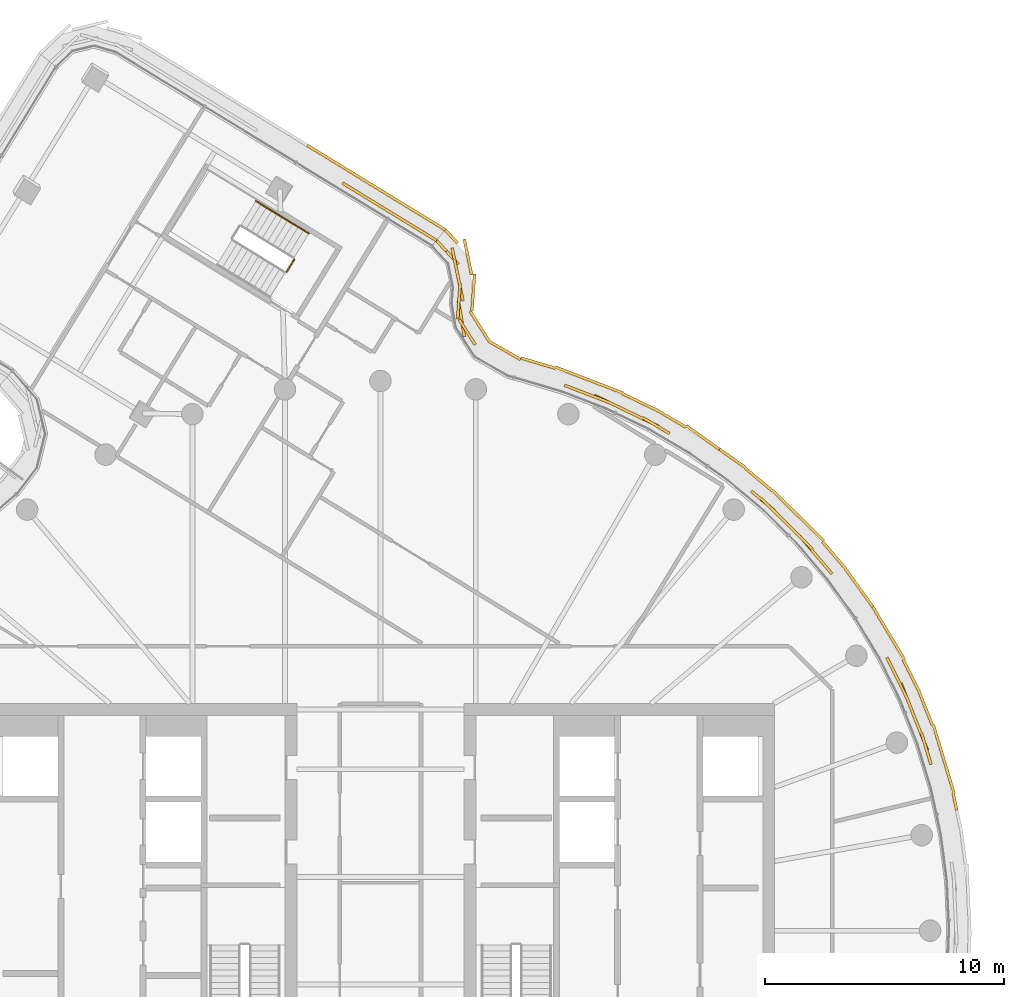
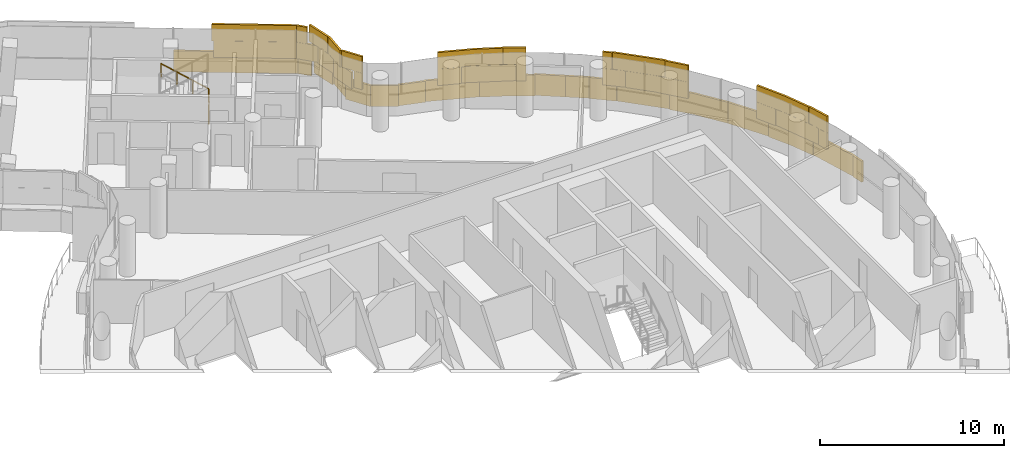
# One storey, part 26 of 27: 5 coverings, 2 railings.
"""IFC4 building model written with IfcOpenShell, lengths in metres."""

from ifc_helpers import new_model, si_unit, direction, frame, origin, origin_2d, place, context, subcontext, project, spatial, rectangle, circle, extrude, material, layer, layer_set, type_object, element, save


model = new_model("IFC4")

# Units and contexts
model_context = context("Model", 3, precision=1e-05, world=origin(), true_north=direction((0.0, 1.0)))
body_context = subcontext(model_context, "Body", "Model", "MODEL_VIEW")
ifc_project = project(units=[si_unit("LENGTHUNIT", "METRE"), si_unit("AREAUNIT", "SQUARE_METRE"), si_unit("VOLUMEUNIT", "CUBIC_METRE"), si_unit("PLANEANGLEUNIT", "RADIAN"), si_unit("MASSUNIT", "GRAM", prefix="KILO")], contexts=[model_context])

# Site, building, storey
site_placement = place(None, origin())
site = spatial("IfcSite", under=ifc_project, at=site_placement, CompositionType="ELEMENT")
building_placement = place(site_placement, origin())
building = spatial("IfcBuilding", under=site, at=building_placement, Name="Tamarind Cross Interchange Tower", CompositionType="ELEMENT")
storey_placement = place(building_placement, frame((0.0, 0.0, 245.10009765625)))
storey = spatial("IfcBuildingStorey", under=building, at=storey_placement, Name="L62", CompositionType="ELEMENT", Elevation=245.10009765625)

# Railings
ifc_material_1 = material(Name="Stair guard")
railing_type_1 = type_object("IfcRailingType", Name="Stair guard", PredefinedType="GUARDRAIL", material=ifc_material_1)
railing_1_placement = place(storey_placement, frame((-3.605712890625, 28.078857421875, 0.0)))
element("IfcRailing", 1, at=railing_1_placement, inside=storey, type_object=railing_type_1, Name="L62 ST4 stair guard 4", PredefinedType="GUARDRAIL", context=body_context, shape_type="SweptSolid", body=[
    extrude(circle(Radius=0.02392578125, at=origin_2d()), frame((0.0, 0.0, 1.076171875), z_axis=(-0.522371246556, -0.852718171949, 0.0), x_axis=(0.852718171949, -0.522371246556, 0.0)), (0.0, 0.0, 1.0), 0.60009765625),
    extrude(circle(Radius=0.02099609375, at=origin_2d()), origin(), (0.0, 0.0, 1.0), 1.052001953125),
    extrude(circle(Radius=0.02099609375, at=origin_2d()), frame((-0.3134765625, -0.51171875, 0.0)), (0.0, 0.0, 1.0), 1.052001953125),
])
ifc_material_2 = material(Name="Stair handrail")
railing_type_2 = type_object("IfcRailingType", Name="Stair handrail", PredefinedType="HANDRAIL", material=ifc_material_2)
railing_2_placement = place(storey_placement, frame((-2.995361328125, 29.1708984375, 0.16357421875)))
element("IfcRailing", 2, at=railing_2_placement, inside=storey, type_object=railing_type_2, Name="L62 ST4 stair handrail 1", PredefinedType="HANDRAIL", context=body_context, shape_type="SweptSolid", body=[
    extrude(circle(Radius=0.02392578125, at=origin_2d()), frame((0.0, 0.0, 0.8759765625), z_axis=(-0.721696093843, 0.44210938994, 0.532629360305), x_axis=(-0.522372679878, -0.852717293901, 0.0)), (0.0, 0.0, 1.0), 3.072021484375),
    extrude(circle(Radius=0.02099609375, at=origin_2d()), origin(), (0.0, 0.0, 1.0), 0.851806640625),
    extrude(circle(Radius=0.02099609375, at=origin_2d()), frame((-0.739013671875, 0.45263671875, 0.54541015625)), (0.0, 0.0, 1.0), 0.851806640625),
    extrude(circle(Radius=0.02099609375, at=origin_2d()), frame((-1.47802734375, 0.905517578125, 1.0908203125)), (0.0, 0.0, 1.0), 0.851806640625),
    extrude(circle(Radius=0.02099609375, at=origin_2d()), frame((-2.217041015625, 1.358154296875, 1.63623046875)), (0.0, 0.0, 1.0), 0.851806640625),
])

# Coverings
ifc_material_3 = material(Name="Terracotta", Category="masonry")
ifc_layer = layer(ifc_material_3, 0.1201171875)
ifc_layer_set = layer_set([ifc_layer], Name="Terracotta")
covering_type = type_object("IfcCoveringType", Name="Terracotta baguette screen unit", PredefinedType="MOLDING", material=ifc_layer_set)
covering_1_placement = place(storey_placement, origin())
element("IfcCovering", 3, at=covering_1_placement, inside=storey, type_object=covering_type, Name="SCR-L62-06-07", PredefinedType="MOLDING", context=body_context, shape_type="SweptSolid", body=[
    extrude(rectangle(XDim=0.62255859375, YDim=0.1201171875, at=origin_2d()), frame((22.94921875, 7.250244140625, 1.40380859375), z_axis=(0.0, 0.0, 1.0), x_axis=(-0.289458243079, 0.957190642199, 0.0)), (0.0, 0.0, 1.0), 1.092041015625),
    extrude(rectangle(XDim=1.52001953125, YDim=0.1201171875, at=origin_2d()), frame((22.615478515625, 8.251708984375, 1.40380859375), z_axis=(0.0, 0.0, 1.0), x_axis=(-0.367513773146, 0.930018078613, 0.0)), (0.0, 0.0, 1.0), 1.092041015625),
    extrude(rectangle(XDim=1.52001953125, YDim=0.1201171875, at=origin_2d()), frame((22.064208984375, 9.646728515625, 1.40380859375), z_axis=(0.0, 0.0, 1.0), x_axis=(-0.367513773146, 0.930018078613, 0.0)), (0.0, 0.0, 1.0), 1.092041015625),
    extrude(rectangle(XDim=1.24072265625, YDim=0.1201171875, at=origin_2d()), frame((21.46923828125, 10.875244140625, 1.40380859375), z_axis=(0.0, 0.0, 1.0), x_axis=(-0.443058811505, 0.896492548518, 0.0)), (0.0, 0.0, 1.0), 1.092041015625),
    extrude(rectangle(XDim=1.37255859375, YDim=0.1201171875, at=origin_2d()), frame((22.840576171875, 7.609375, 2.50390625), z_axis=(0.0, 0.0, 1.0), x_axis=(-0.289458243079, 0.957190642199, 0.0)), (0.0, 0.0, 1.0), 1.092041015625),
    extrude(rectangle(XDim=1.52001953125, YDim=0.1201171875, at=origin_2d()), frame((22.33984375, 8.94921875, 2.50390625), z_axis=(0.0, 0.0, 1.0), x_axis=(-0.367513773146, 0.930018078613, 0.0)), (0.0, 0.0, 1.0), 1.092041015625),
    extrude(rectangle(XDim=1.52001953125, YDim=0.1201171875, at=origin_2d()), frame((21.741943359375, 10.323486328125, 2.50390625), z_axis=(0.0, 0.0, 1.0), x_axis=(-0.443058811505, 0.896492548518, 0.0)), (0.0, 0.0, 1.0), 1.092041015625),
    extrude(rectangle(XDim=0.49072265625, YDim=0.1201171875, at=origin_2d()), frame((21.30322265625, 11.21142578125, 2.50390625), z_axis=(0.0, 0.0, 1.0), x_axis=(-0.443058811505, 0.896492548518, 0.0)), (0.0, 0.0, 1.0), 1.092041015625),
    extrude(rectangle(XDim=0.712158203125, YDim=0.1201171875, at=origin_2d()), frame((24.0439453125, 5.3896484375, 0.00390625), z_axis=(0.0, 0.0, 1.0), x_axis=(-0.209425419705, 0.977824623121, 0.0)), (0.0, 0.0, 1.0), 1.39208984375),
    extrude(rectangle(XDim=1.52001953125, YDim=0.1201171875, at=origin_2d()), frame((23.789306640625, 6.455078125, 0.00390625), z_axis=(0.0, 0.0, 1.0), x_axis=(-0.289458243079, 0.957190642199, 0.0)), (0.0, 0.0, 1.0), 1.39208984375),
    extrude(rectangle(XDim=1.52001953125, YDim=0.1201171875, at=origin_2d()), frame((23.355224609375, 7.890869140625, 0.00390625), z_axis=(0.0, 0.0, 1.0), x_axis=(-0.289458243079, 0.957190642199, 0.0)), (0.0, 0.0, 1.0), 1.39208984375),
    extrude(rectangle(XDim=1.52001953125, YDim=0.1201171875, at=origin_2d()), frame((22.821533203125, 9.2919921875, 0.00390625), z_axis=(0.0, 0.0, 1.0), x_axis=(-0.367513773146, 0.930018078613, 0.0)), (0.0, 0.0, 1.0), 1.39208984375),
    extrude(rectangle(XDim=1.52001953125, YDim=0.1201171875, at=origin_2d()), frame((22.21484375, 10.662353515625, 0.00390625), z_axis=(0.0, 0.0, 1.0), x_axis=(-0.443058811505, 0.896492548518, 0.0)), (0.0, 0.0, 1.0), 1.39208984375),
    extrude(rectangle(XDim=1.52001953125, YDim=0.1201171875, at=origin_2d()), frame((21.535888671875, 11.999267578125, 0.00390625), z_axis=(0.0, 0.0, 1.0), x_axis=(-0.515577308909, 0.856843065292, 0.0)), (0.0, 0.0, 1.0), 1.39208984375),
    extrude(rectangle(XDim=1.066650390625, YDim=0.1201171875, at=origin_2d()), frame((20.87939453125, 13.09033203125, 0.00390625), z_axis=(0.0, 0.0, 1.0), x_axis=(-0.515577308909, 0.856843065292, 0.0)), (0.0, 0.0, 1.0), 1.39208984375),
])
covering_2_placement = place(storey_placement, origin())
element("IfcCovering", 4, at=covering_2_placement, inside=storey, type_object=covering_type, Name="SCR-L62-06-08", PredefinedType="MOLDING", context=body_context, shape_type="SweptSolid", body=[
    extrude(rectangle(XDim=0.579345703125, YDim=0.1201171875, at=origin_2d()), frame((18.709228515625, 15.149658203125, 1.40380859375), z_axis=(0.0, 0.0, 1.0), x_axis=(-0.64957723968, 0.760295606781, 0.0)), (0.0, 0.0, 1.0), 1.092041015625),
    extrude(rectangle(XDim=1.52001953125, YDim=0.1201171875, at=origin_2d()), frame((18.037109375, 15.936279296875, 1.40380859375), z_axis=(0.0, 0.0, 1.0), x_axis=(-0.64957723968, 0.760295606781, 0.0)), (0.0, 0.0, 1.0), 1.092041015625),
    extrude(rectangle(XDim=1.52001953125, YDim=0.1201171875, at=origin_2d()), frame((17.008056640625, 17.02587890625, 1.40380859375), z_axis=(0.0, 0.0, 1.0), x_axis=(-0.710143317658, 0.704057148523, 0.0)), (0.0, 0.0, 1.0), 1.092041015625),
    extrude(rectangle(XDim=1.283447265625, YDim=0.1201171875, at=origin_2d()), frame((16.00634765625, 17.98388671875, 1.40380859375), z_axis=(0.0, 0.0, 1.0), x_axis=(-0.765858396687, 0.643009266048, 0.0)), (0.0, 0.0, 1.0), 1.092041015625),
    extrude(rectangle(XDim=1.329345703125, YDim=0.1201171875, at=origin_2d()), frame((18.465576171875, 15.434814453125, 2.50390625), z_axis=(0.0, 0.0, 1.0), x_axis=(-0.64957723968, 0.760295606781, 0.0)), (0.0, 0.0, 1.0), 1.092041015625),
    extrude(rectangle(XDim=1.52001953125, YDim=0.1201171875, at=origin_2d()), frame((17.54052734375, 16.497802734375, 2.50390625), z_axis=(0.0, 0.0, 1.0), x_axis=(-0.710143317658, 0.704057148523, 0.0)), (0.0, 0.0, 1.0), 1.092041015625),
    extrude(rectangle(XDim=1.52001953125, YDim=0.1201171875, at=origin_2d()), frame((16.475341796875, 17.553955078125, 2.50390625), z_axis=(0.0, 0.0, 1.0), x_axis=(-0.710143317658, 0.704057148523, 0.0)), (0.0, 0.0, 1.0), 1.092041015625),
    extrude(rectangle(XDim=0.533447265625, YDim=0.1201171875, at=origin_2d()), frame((15.71923828125, 18.22509765625, 2.50390625), z_axis=(0.0, 0.0, 1.0), x_axis=(-0.765858396687, 0.643009266048, 0.0)), (0.0, 0.0, 1.0), 1.092041015625),
    extrude(rectangle(XDim=0.453369140625, YDim=0.1201171875, at=origin_2d()), frame((20.474365234375, 13.73291015625, 0.00390625), z_axis=(0.0, 0.0, 1.0), x_axis=(-0.584573890505, 0.811340475102, 0.0)), (0.0, 0.0, 1.0), 1.39208984375),
    extrude(rectangle(XDim=1.52001953125, YDim=0.1201171875, at=origin_2d()), frame((19.9091796875, 14.51708984375, 0.00390625), z_axis=(0.0, 0.0, 1.0), x_axis=(-0.584573890505, 0.811340475102, 0.0)), (0.0, 0.0, 1.0), 1.39208984375),
    extrude(rectangle(XDim=1.52001953125, YDim=0.1201171875, at=origin_2d()), frame((18.991943359375, 15.702392578125, 0.00390625), z_axis=(0.0, 0.0, 1.0), x_axis=(-0.64957723968, 0.760295606781, 0.0)), (0.0, 0.0, 1.0), 1.39208984375),
    extrude(rectangle(XDim=1.52001953125, YDim=0.1201171875, at=origin_2d()), frame((18.0126953125, 16.838134765625, 0.00390625), z_axis=(0.0, 0.0, 1.0), x_axis=(-0.710143317658, 0.704057148523, 0.0)), (0.0, 0.0, 1.0), 1.39208984375),
    extrude(rectangle(XDim=1.52001953125, YDim=0.1201171875, at=origin_2d()), frame((16.947265625, 17.894287109375, 0.00390625), z_axis=(0.0, 0.0, 1.0), x_axis=(-0.710143317658, 0.704057148523, 0.0)), (0.0, 0.0, 1.0), 1.39208984375),
    extrude(rectangle(XDim=1.52001953125, YDim=0.1201171875, at=origin_2d()), frame((15.823974609375, 18.88671875, 0.00390625), z_axis=(0.0, 0.0, 1.0), x_axis=(-0.765858396687, 0.643009266048, 0.0)), (0.0, 0.0, 1.0), 1.39208984375),
    extrude(rectangle(XDim=1.3251953125, YDim=0.1201171875, at=origin_2d()), frame((14.72900390625, 19.76171875, 0.00390625), z_axis=(0.0, 0.0, 1.0), x_axis=(-0.816341886298, 0.577568978284, 0.0)), (0.0, 0.0, 1.0), 1.39208984375),
])
covering_3_placement = place(storey_placement, origin())
element("IfcCovering", 5, at=covering_3_placement, inside=storey, type_object=covering_type, Name="SCR-L62-06-09", PredefinedType="MOLDING", context=body_context, shape_type="SweptSolid", body=[
    extrude(rectangle(XDim=0.53662109375, YDim=0.1201171875, at=origin_2d()), frame((11.86474609375, 20.941650390625, 1.40380859375), z_axis=(0.0, 0.0, 1.0), x_axis=(-0.861248933065, 0.508183308752, 0.0)), (0.0, 0.0, 1.0), 1.092041015625),
    extrude(rectangle(XDim=1.52001953125, YDim=0.1201171875, at=origin_2d()), frame((10.974853515625, 21.424560546875, 1.40380859375), z_axis=(0.0, 0.0, 1.0), x_axis=(-0.900272776334, 0.435326231914, 0.0)), (0.0, 0.0, 1.0), 1.092041015625),
    extrude(rectangle(XDim=1.52001953125, YDim=0.1201171875, at=origin_2d()), frame((9.624267578125, 22.077392578125, 1.40380859375), z_axis=(0.0, 0.0, 1.0), x_axis=(-0.900272776334, 0.435326231914, 0.0)), (0.0, 0.0, 1.0), 1.092041015625),
    extrude(rectangle(XDim=1.31689453125, YDim=0.1201171875, at=origin_2d()), frame((8.31640625, 22.585693359375, 1.40380859375), z_axis=(0.0, 0.0, 1.0), x_axis=(-0.933146843667, 0.359495435512, 0.0)), (0.0, 0.0, 1.0), 1.092041015625),
    extrude(rectangle(XDim=1.28662109375, YDim=0.1201171875, at=origin_2d()), frame((11.541748046875, 21.13232421875, 2.50390625), z_axis=(0.0, 0.0, 1.0), x_axis=(-0.861248933065, 0.508183308752, 0.0)), (0.0, 0.0, 1.0), 1.092041015625),
    extrude(rectangle(XDim=1.52001953125, YDim=0.1201171875, at=origin_2d()), frame((10.299560546875, 21.7509765625, 2.50390625), z_axis=(0.0, 0.0, 1.0), x_axis=(-0.900272776334, 0.435326231914, 0.0)), (0.0, 0.0, 1.0), 1.092041015625),
    extrude(rectangle(XDim=1.52001953125, YDim=0.1201171875, at=origin_2d()), frame((8.926025390625, 22.350830078125, 2.50390625), z_axis=(0.0, 0.0, 1.0), x_axis=(-0.933146843667, 0.359495435512, 0.0)), (0.0, 0.0, 1.0), 1.092041015625),
    extrude(rectangle(XDim=0.56689453125, YDim=0.1201171875, at=origin_2d()), frame((7.96630859375, 22.720458984375, 2.50390625), z_axis=(0.0, 0.0, 1.0), x_axis=(-0.933146843667, 0.359495435512, 0.0)), (0.0, 0.0, 1.0), 1.092041015625),
    extrude(rectangle(XDim=0.19482421875, YDim=0.1201171875, at=origin_2d()), frame((14.108642578125, 20.20068359375, 0.00390625), z_axis=(0.0, 0.0, 1.0), x_axis=(-0.816341886298, 0.577568978284, 0.0)), (0.0, 0.0, 1.0), 1.39208984375),
    extrude(rectangle(XDim=1.52001953125, YDim=0.1201171875, at=origin_2d()), frame((13.425048828125, 20.684326171875, 0.00390625), z_axis=(0.0, 0.0, 1.0), x_axis=(-0.816341886298, 0.577568978284, 0.0)), (0.0, 0.0, 1.0), 1.39208984375),
    extrude(rectangle(XDim=1.52001953125, YDim=0.1201171875, at=origin_2d()), frame((12.134765625, 21.448974609375, 0.00390625), z_axis=(0.0, 0.0, 1.0), x_axis=(-0.861248933065, 0.508183308752, 0.0)), (0.0, 0.0, 1.0), 1.39208984375),
    extrude(rectangle(XDim=1.52001953125, YDim=0.1201171875, at=origin_2d()), frame((10.806396484375, 22.143310546875, 0.00390625), z_axis=(0.0, 0.0, 1.0), x_axis=(-0.900272776334, 0.435326231914, 0.0)), (0.0, 0.0, 1.0), 1.39208984375),
    extrude(rectangle(XDim=1.52001953125, YDim=0.1201171875, at=origin_2d()), frame((9.443115234375, 22.7666015625, 0.00390625), z_axis=(0.0, 0.0, 1.0), x_axis=(-0.933146843667, 0.359495435512, 0.0)), (0.0, 0.0, 1.0), 1.39208984375),
    extrude(rectangle(XDim=1.52001953125, YDim=0.1201171875, at=origin_2d()), frame((8.04345703125, 23.305908203125, 0.00390625), z_axis=(0.0, 0.0, 1.0), x_axis=(-0.933146843667, 0.359495435512, 0.0)), (0.0, 0.0, 1.0), 1.39208984375),
    extrude(rectangle(XDim=1.52001953125, YDim=0.1201171875, at=origin_2d()), frame((6.609619140625, 23.74462890625, 0.00390625), z_axis=(0.0, 0.0, 1.0), x_axis=(-0.95842748246, 0.285336224242, 0.0)), (0.0, 0.0, 1.0), 1.39208984375),
])
covering_4_placement = place(storey_placement, origin())
element("IfcCovering", 6, at=covering_4_placement, inside=storey, type_object=covering_type, Name="SCR-L62-06-10", PredefinedType="MOLDING", context=body_context, shape_type="SweptSolid", body=[
    extrude(rectangle(XDim=0.503173828125, YDim=0.1201171875, at=origin_2d()), frame((3.83203125, 24.72998046875, 1.40380859375), z_axis=(0.0, 0.0, 1.0), x_axis=(-0.537340561565, 0.843365354338, 0.0)), (0.0, 0.0, 1.0), 1.092041015625),
    extrude(rectangle(XDim=1.52001953125, YDim=0.1201171875, at=origin_2d()), frame((3.388671875, 25.60595703125, 1.40380859375), z_axis=(0.0, 0.0, 1.0), x_axis=(-0.167236990494, 0.985916725191, 0.0)), (0.0, 0.0, 1.0), 1.092041015625),
    extrude(rectangle(XDim=1.52001953125, YDim=0.1201171875, at=origin_2d()), frame((3.30224609375, 27.092041015625, 1.40380859375), z_axis=(0.0, 0.0, 1.0), x_axis=(-0.200530881776, 0.979687381492, 0.0)), (0.0, 0.0, 1.0), 1.092041015625),
    extrude(rectangle(XDim=1.3642578125, YDim=0.1201171875, at=origin_2d()), frame((2.805419921875, 28.3818359375, 1.40380859375), z_axis=(0.0, 0.0, 1.0), x_axis=(-0.680233195119, 0.732995770969, 0.0)), (0.0, 0.0, 1.0), 1.092041015625),
    extrude(rectangle(XDim=1.253173828125, YDim=0.1201171875, at=origin_2d()), frame((3.630615234375, 25.046142578125, 2.50390625), z_axis=(0.0, 0.0, 1.0), x_axis=(-0.537340561565, 0.843365354338, 0.0)), (0.0, 0.0, 1.0), 1.092041015625),
    extrude(rectangle(XDim=1.52001953125, YDim=0.1201171875, at=origin_2d()), frame((3.283935546875, 26.346435546875, 2.50390625), z_axis=(0.0, 0.0, 1.0), x_axis=(0.071130575627, 0.997467012593, 0.0)), (0.0, 0.0, 1.0), 1.092041015625),
    extrude(rectangle(XDim=1.52001953125, YDim=0.1201171875, at=origin_2d()), frame((3.15185546875, 27.826904296875, 2.50390625), z_axis=(0.0, 0.0, 1.0), x_axis=(-0.200530881776, 0.979687381492, 0.0)), (0.0, 0.0, 1.0), 1.092041015625),
    extrude(rectangle(XDim=0.6142578125, YDim=0.1201171875, at=origin_2d()), frame((2.55029296875, 28.65673828125, 2.50390625), z_axis=(0.0, 0.0, 1.0), x_axis=(-0.680233195119, 0.732995770969, 0.0)), (0.0, 0.0, 1.0), 1.092041015625),
    extrude(rectangle(XDim=1.507080078125, YDim=0.1201171875, at=origin_2d()), frame((5.210693359375, 24.276123046875, 0.00390625), z_axis=(0.0, 0.0, 1.0), x_axis=(-0.868413823847, 0.495840126, 0.0)), (0.0, 0.0, 1.0), 1.39208984375),
    extrude(rectangle(XDim=1.52001953125, YDim=0.1201171875, at=origin_2d()), frame((4.1630859375, 25.278564453125, 0.00390625), z_axis=(0.0, 0.0, 1.0), x_axis=(-0.537340561565, 0.843365354338, 0.0)), (0.0, 0.0, 1.0), 1.39208984375),
    extrude(rectangle(XDim=1.52001953125, YDim=0.1201171875, at=origin_2d()), frame((3.885498046875, 26.712890625, 0.00390625), z_axis=(0.0, 0.0, 1.0), x_axis=(0.071130575627, 0.997467012593, 0.0)), (0.0, 0.0, 1.0), 1.39208984375),
    extrude(rectangle(XDim=1.52001953125, YDim=0.1201171875, at=origin_2d()), frame((3.6640625, 28.187744140625, 0.00390625), z_axis=(0.0, 0.0, 1.0), x_axis=(-0.200530881776, 0.979687381492, 0.0)), (0.0, 0.0, 1.0), 1.39208984375),
    extrude(rectangle(XDim=0.763916015625, YDim=0.1201171875, at=origin_2d()), frame((2.9716796875, 29.04638671875, 0.00390625), z_axis=(0.0, 0.0, 1.0), x_axis=(-0.680233195119, 0.732995770969, 0.0)), (0.0, 0.0, 1.0), 1.39208984375),
])
covering_5_placement = place(storey_placement, origin())
element("IfcCovering", 7, at=covering_5_placement, inside=storey, type_object=covering_type, Name="SCR-L62-07-00", PredefinedType="MOLDING", context=body_context, shape_type="SweptSolid", body=[
    extrude(rectangle(XDim=1.510009765625, YDim=0.1201171875, at=origin_2d()), frame((1.705322265625, 29.27001953125, 1.40380859375), z_axis=(0.0, 0.0, 1.0), x_axis=(-0.852720404316, 0.522367602426, 0.0)), (0.0, 0.0, 1.0), 1.092041015625),
    extrude(rectangle(XDim=1.52001953125, YDim=0.1201171875, at=origin_2d()), frame((0.42626953125, 30.053466796875, 1.40380859375), z_axis=(0.0, 0.0, 1.0), x_axis=(-0.852720404316, 0.522367602426, 0.0)), (0.0, 0.0, 1.0), 1.092041015625),
    extrude(rectangle(XDim=1.52001953125, YDim=0.1201171875, at=origin_2d()), frame((-0.85302734375, 30.837158203125, 1.40380859375), z_axis=(0.0, 0.0, 1.0), x_axis=(-0.852720404316, 0.522367602426, 0.0)), (0.0, 0.0, 1.0), 1.092041015625),
    extrude(rectangle(XDim=0.760009765625, YDim=0.1201171875, at=origin_2d()), frame((2.02490234375, 29.073974609375, 2.50390625), z_axis=(0.0, 0.0, 1.0), x_axis=(-0.852720404316, 0.522367602426, 0.0)), (0.0, 0.0, 1.0), 1.092041015625),
    extrude(rectangle(XDim=1.52001953125, YDim=0.1201171875, at=origin_2d()), frame((1.065673828125, 29.66162109375, 2.50390625), z_axis=(0.0, 0.0, 1.0), x_axis=(-0.852720404316, 0.522367602426, 0.0)), (0.0, 0.0, 1.0), 1.092041015625),
    extrude(rectangle(XDim=1.52001953125, YDim=0.1201171875, at=origin_2d()), frame((-0.21337890625, 30.4453125, 2.50390625), z_axis=(0.0, 0.0, 1.0), x_axis=(-0.852720404316, 0.522367602426, 0.0)), (0.0, 0.0, 1.0), 1.092041015625),
    extrude(rectangle(XDim=0.864501953125, YDim=0.1201171875, at=origin_2d()), frame((-1.21728515625, 31.060302734375, 2.50390625), z_axis=(0.0, 0.0, 1.0), x_axis=(-0.852720404316, 0.522367602426, 0.0)), (0.0, 0.0, 1.0), 1.092041015625),
    extrude(rectangle(XDim=1.510009765625, YDim=0.1201171875, at=origin_2d()), frame((2.068115234375, 29.720947265625, 0.00390625), z_axis=(0.0, 0.0, 1.0), x_axis=(-0.852720404316, 0.522367602426, 0.0)), (0.0, 0.0, 1.0), 1.39208984375),
    extrude(rectangle(XDim=1.52001953125, YDim=0.1201171875, at=origin_2d()), frame((0.793212890625, 30.501708984375, 0.00390625), z_axis=(0.0, 0.0, 1.0), x_axis=(-0.852720404316, 0.522367602426, 0.0)), (0.0, 0.0, 1.0), 1.39208984375),
    extrude(rectangle(XDim=1.52001953125, YDim=0.1201171875, at=origin_2d()), frame((-0.48583984375, 31.285400390625, 0.00390625), z_axis=(0.0, 0.0, 1.0), x_axis=(-0.852720404316, 0.522367602426, 0.0)), (0.0, 0.0, 1.0), 1.39208984375),
    extrude(rectangle(XDim=1.52001953125, YDim=0.1201171875, at=origin_2d()), frame((-1.764892578125, 32.06884765625, 0.00390625), z_axis=(0.0, 0.0, 1.0), x_axis=(-0.852720404316, 0.522367602426, 0.0)), (0.0, 0.0, 1.0), 1.39208984375),
    extrude(rectangle(XDim=0.781005859375, YDim=0.1201171875, at=origin_2d()), frame((-2.72900390625, 32.659423828125, 0.00390625), z_axis=(0.0, 0.0, 1.0), x_axis=(-0.852720404316, 0.522367602426, 0.0)), (0.0, 0.0, 1.0), 1.39208984375),
])

save(model, "model.ifc")
